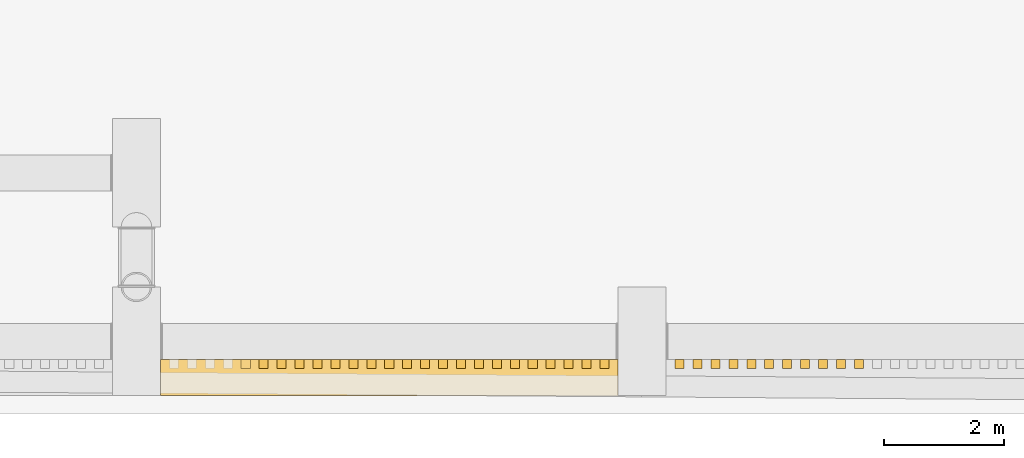
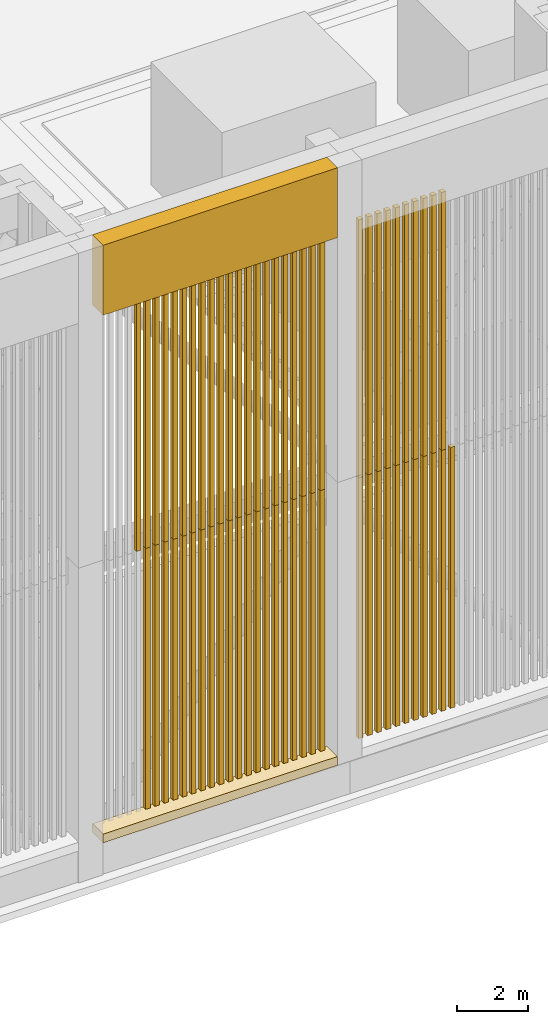
# One storey, part 11 of 27: 62 shading devices, 2 coverings.
"""IFC4 building model written with IfcOpenShell, lengths in metres."""

import ifcopenshell
import ifcopenshell.guid

model = None  # the IFC model being written
_history = None  # IfcOwnerHistory: only IFC2X3 demands one
_inside = {}  # id of a spatial element -> (the spatial element, [elements in it])
_under = {}  # id of a project, library or spatial element -> (it, [spatial elements below it])
_declared = {}  # id of a project -> (the project, [libraries it declares])
_typed = {}  # id of a type object -> (the type object, [elements of that type])
_made_of = {}  # id of a material, layer set ... -> (it, [elements and type objects made of it])


def new_model(schema):
    """Start an empty IFC model of exactly this schema.

    Asked for "IFC4X3", IfcOpenShell would pick the latest addendum, in which some entities
    have other attributes; the version numbers below select the first issue.
    IFC2X3 requires an IfcOwnerHistory on every rooted entity: one is made here for all.
    """
    global model, _history
    if schema == "IFC4X3":
        model = ifcopenshell.file(schema_version=(4, 3, 0, 0))
    else:
        model = ifcopenshell.file(schema=schema)
    _inside.clear()
    _under.clear()
    _declared.clear()
    _typed.clear()
    _made_of.clear()
    _history = None
    if model.schema == "IFC2X3":
        org = make("IfcOrganization", Name="unknown")
        user = make(
            "IfcPersonAndOrganization",
            ThePerson=make("IfcPerson", FamilyName="unknown"),
            TheOrganization=org,
        )
        app = make(
            "IfcApplication",
            ApplicationDeveloper=org,
            Version="unknown",
            ApplicationFullName="unknown",
            ApplicationIdentifier="unknown",
        )
        _history = make(
            "IfcOwnerHistory",
            OwningUser=user,
            OwningApplication=app,
            ChangeAction="ADDED",
            CreationDate=0,
        )
    return model


def make(cls, **values):
    """One entity of the class cls with the attributes given. An attribute that is None is left unset."""
    return model.create_entity(
        cls, **{name: value for name, value in values.items() if value is not None}
    )


def rooted(cls, **values):
    """An entity with a GlobalId (a new one), such as an element, a storey or a relation."""
    return make(cls, GlobalId=ifcopenshell.guid.new(), OwnerHistory=_history, **values)


def si_unit(unit_type, name, prefix=None):
    """IfcSIUnit, for example si_unit("LENGTHUNIT", "METRE", prefix="MILLI")."""
    return make("IfcSIUnit", UnitType=unit_type, Prefix=prefix, Name=name)


def assignment(units):
    """IfcUnitAssignment: the units of a project."""
    return None if units is None else make("IfcUnitAssignment", Units=units)


def point(xyz):
    """IfcCartesianPoint."""
    return None if xyz is None else make("IfcCartesianPoint", Coordinates=xyz)


def direction(xyz):
    """IfcDirection."""
    return None if xyz is None else make("IfcDirection", DirectionRatios=xyz)


def frame(location, z_axis=None, x_axis=None):
    """IfcAxis2Placement3D, a coordinate frame: its origin and axes. An axis left out is left unset."""
    return make(
        "IfcAxis2Placement3D",
        Location=point(location),
        Axis=direction(z_axis),
        RefDirection=direction(x_axis),
    )


def frame_2d(location, x_axis=None):
    """IfcAxis2Placement2D, a coordinate frame in the plane: its origin and x axis."""
    return make(
        "IfcAxis2Placement2D", Location=point(location), RefDirection=direction(x_axis)
    )


def origin():
    """The frame at (0, 0, 0) with its axes left unset."""
    return frame((0.0, 0.0, 0.0))


def origin_2d():
    """The frame at (0, 0) in the plane with its x axis left unset."""
    return frame_2d((0.0, 0.0))


def place(relative_to, where):
    """IfcLocalPlacement: puts the frame where relative to a parent placement (None: the world)."""
    return make(
        "IfcLocalPlacement", PlacementRelTo=relative_to, RelativePlacement=where
    )


def context(
    kind, dimensions, precision=None, world=None, true_north=None, identifier=None
):
    """IfcGeometricRepresentationContext, for example the 3D "Model" context."""
    return make(
        "IfcGeometricRepresentationContext",
        ContextIdentifier=identifier,
        ContextType=kind,
        CoordinateSpaceDimension=dimensions,
        Precision=precision,
        WorldCoordinateSystem=world,
        TrueNorth=true_north,
    )


def subcontext(parent, identifier, kind, view, scale=None):
    """IfcGeometricRepresentationSubContext, for example "Body" below "Model"."""
    return make(
        "IfcGeometricRepresentationSubContext",
        ContextIdentifier=identifier,
        ContextType=kind,
        ParentContext=parent,
        TargetScale=scale,
        TargetView=view,
    )


def project(units=None, contexts=None):
    """IfcProject with its units and contexts."""
    return rooted(
        "IfcProject",
        Name="project",
        RepresentationContexts=contexts,
        UnitsInContext=assignment(units),
    )


def spatial(cls, under=None, at=None, **own):
    """A site, building, storey or space (cls), placed at a placement, below another one or the project."""
    s = rooted(cls, ObjectPlacement=at, **own)
    if under is not None:
        _under.setdefault(under.id(), (under, []))[1].append(s)
    return s


def profile(cls, at=None, kind="AREA", **sizes):
    """A parametric profile (cls). Its sizes go by their IFC names, for example OverallWidth=200.0."""
    return make(cls, ProfileType=kind, Position=at, **sizes)


def rectangle(**sizes):
    """IfcRectangleProfileDef."""
    return profile("IfcRectangleProfileDef", **sizes)


def extrude(swept, where, along, depth):
    """IfcExtrudedAreaSolid: the profile swept, set in the frame where, extruded along a direction by depth."""
    return make(
        "IfcExtrudedAreaSolid",
        SweptArea=swept,
        Position=where,
        ExtrudedDirection=direction(along),
        Depth=depth,
    )


def shape(context_of_items, identifier, shape_type, items):
    """IfcShapeRepresentation: the items that make up one representation, for example the "Body"."""
    return make(
        "IfcShapeRepresentation",
        ContextOfItems=context_of_items,
        RepresentationIdentifier=identifier,
        RepresentationType=shape_type,
        Items=items,
    )


def material(Name=None, Category=None):
    """IfcMaterial."""
    return make("IfcMaterial", Name=Name, Category=Category)


def layer(
    of_material, thickness, ventilated=None, Name=None, Category=None, Priority=None
):
    """IfcMaterialLayer: one layer of a wall or slab, of a material (None: an air gap)."""
    return make(
        "IfcMaterialLayer",
        Material=of_material,
        LayerThickness=thickness,
        IsVentilated=ventilated,
        Name=Name,
        Category=Category,
        Priority=Priority,
    )


def layer_set(layers, Name=None):
    """IfcMaterialLayerSet."""
    return make("IfcMaterialLayerSet", MaterialLayers=layers, LayerSetName=Name)


def made_of(thing, what):
    """Note that an element or type object is made of a material, layer set ...; save() writes the relation."""
    if what is not None:
        _made_of.setdefault(what.id(), (what, []))[1].append(thing)
    return thing


def type_object(cls, material=None, **own):
    """A type object (cls), such as IfcWallType, which elements share."""
    return made_of(rooted(cls, **own), material)


def element(
    cls,
    number,
    at=None,
    inside=None,
    cuts=None,
    type_object=None,
    material=None,
    context=None,
    identifier="Body",
    shape_type=None,
    held_by="IfcProductDefinitionShape",
    body=None,
    shapes=None,
    **own,
):
    """One element of the class cls, such as IfcWall. Its Tag is "e" and its number.

    at: its placement. inside: the storey or other place that contains it. cuts: it is an
    opening in that element (IfcRelVoidsElement). A single representation is given by context,
    identifier, shape_type and body (its items); several are given by shapes. held_by: the class
    of the entity that holds the representations. save() writes the other relations.
    """
    e = rooted(cls, Tag="e%d" % number, ObjectPlacement=at, **own)
    if body is not None:
        shapes = [shape(context, identifier, shape_type, body)]
    if shapes is not None:
        e.Representation = make(held_by, Representations=shapes)
    if inside is not None:
        _inside.setdefault(inside.id(), (inside, []))[1].append(e)
    if cuts is not None:
        rooted(
            "IfcRelVoidsElement", RelatingBuildingElement=cuts, RelatedOpeningElement=e
        )
    if type_object is not None:
        _typed.setdefault(type_object.id(), (type_object, []))[1].append(e)
    return made_of(e, material)


def aggregate(whole, parts):
    """IfcRelAggregates: a whole, such as a stair, and the parts it consists of."""
    return rooted("IfcRelAggregates", RelatingObject=whole, RelatedObjects=parts)


def save(model, path):
    """Write the relations noted so far, then the file.

    IfcRelAggregates (storeys below a building ...), IfcRelContainedInSpatialStructure (elements
    in a storey), IfcRelDefinesByType, IfcRelAssociatesMaterial and IfcRelDeclares: one each for
    every whole, place, type object, material and project.
    """
    for whole, parts in _under.values():
        aggregate(whole, parts)
    for where, things in _inside.values():
        rooted(
            "IfcRelContainedInSpatialStructure",
            RelatedElements=things,
            RelatingStructure=where,
        )
    for kind, things in _typed.values():
        rooted("IfcRelDefinesByType", RelatedObjects=things, RelatingType=kind)
    for what, things in _made_of.values():
        rooted("IfcRelAssociatesMaterial", RelatedObjects=things, RelatingMaterial=what)
    for by, libraries in _declared.values():
        rooted("IfcRelDeclares", RelatingContext=by, RelatedDefinitions=libraries)
    model.write(path)


model = new_model("IFC4")

# Units and contexts
model_context = context("Model", 3, precision=1e-05, world=origin(), true_north=direction((0.0, 1.0)))
body_context = subcontext(model_context, "Body", "Model", "MODEL_VIEW")
ifc_project = project(units=[si_unit("LENGTHUNIT", "METRE"), si_unit("AREAUNIT", "SQUARE_METRE"), si_unit("VOLUMEUNIT", "CUBIC_METRE"), si_unit("PLANEANGLEUNIT", "RADIAN"), si_unit("MASSUNIT", "GRAM", prefix="KILO")], contexts=[model_context])

# Site, building, storey
site_placement = place(None, origin())
site = spatial("IfcSite", under=ifc_project, at=site_placement, CompositionType="ELEMENT")
building_placement = place(site_placement, origin())
building = spatial("IfcBuilding", under=site, at=building_placement, Name="Claustro Exchange Tower", CompositionType="ELEMENT")
storey_placement = place(building_placement, frame((0.0, 0.0, 287.10009765625)))
storey = spatial("IfcBuildingStorey", under=building, at=storey_placement, Name="ROOF", CompositionType="ELEMENT", Elevation=287.10009765625)

# Coverings
ifc_material_1 = material(Name="Concrete HA-40 (C40/50), precast, white cement, acid-etched", Category="concrete")
ifc_layer = layer(ifc_material_1, 0.60009765625)
ifc_layer_set = layer_set([ifc_layer], Name="Concrete HA-40 (C40/50), precast, white cement, acid-etched")
covering_type = type_object("IfcCoveringType", Name="CC2 600 precast concrete crown moulding", PredefinedType="MOLDING", material=ifc_layer_set)
covering_1_placement = place(storey_placement, frame((21.0, 4.99951171875, 1.10009765625), z_axis=(0.0, 0.0, 1.0), x_axis=(1.0, 0.0, 0.0)))
element("IfcCovering", 1, at=covering_1_placement, inside=storey, type_object=covering_type, Name="CROWN SILL CC2 3/A+5600 - 4/A+5600", PredefinedType="MOLDING", context=body_context, shape_type="SweptSolid", body=[
    extrude(rectangle(XDim=7.59912109375, YDim=0.60009765625, at=origin_2d()), origin(), (0.0, 0.0, 1.0), 0.300048828125),
])
covering_2_placement = place(storey_placement, frame((21.0, 4.99951171875, 19.199951171875), z_axis=(0.0, 0.0, 1.0), x_axis=(1.0, 0.0, 0.0)))
element("IfcCovering", 2, at=covering_2_placement, inside=storey, type_object=covering_type, Name="CROWN CORNICE CC2 3/A+5600 - 4/A+5600", PredefinedType="MOLDING", context=body_context, shape_type="SweptSolid", body=[
    extrude(rectangle(XDim=7.59912109375, YDim=0.60009765625, at=origin_2d()), origin(), (0.0, 0.0, 1.0), 2.39990234375),
])

# Shading devices
ifc_material_2 = material(Name="Concrete HA-40 (C40/50), precast, white cement, acid-etched", Category="concrete")
shading_device_type = type_object("IfcShadingDeviceType", Name="LV1 150 x 150 precast concrete crown louvre", PredefinedType="USERDEFINED", material=ifc_material_2)
shading_device_1_placement = place(storey_placement, frame((18.61572265625, 5.224609375, 10.349853515625), z_axis=(0.0, 0.0, 1.0), x_axis=(1.0, 0.0, 0.0)))
element("IfcShadingDevice", 3, at=shading_device_1_placement, inside=storey, type_object=shading_device_type, Name="CROWN LOUVRE LV1 3/A+5600 - 4/A+5600 05 upper", ObjectType="CROWN LOUVRE", PredefinedType="USERDEFINED", context=body_context, shape_type="SweptSolid", body=[
    extrude(rectangle(XDim=0.14990234375, YDim=0.14990234375, at=origin_2d()), origin(), (0.0, 0.0, 1.0), 8.85009765625),
])
shading_device_2_placement = place(storey_placement, frame((18.913818359375, 5.224609375, 1.39990234375), z_axis=(0.0, 0.0, 1.0), x_axis=(1.0, 0.0, 0.0)))
element("IfcShadingDevice", 4, at=shading_device_2_placement, inside=storey, type_object=shading_device_type, Name="CROWN LOUVRE LV1 3/A+5600 - 4/A+5600 06 lower", ObjectType="CROWN LOUVRE", PredefinedType="USERDEFINED", context=body_context, shape_type="SweptSolid", body=[
    extrude(rectangle(XDim=0.14990234375, YDim=0.14990234375, at=origin_2d()), origin(), (0.0, 0.0, 1.0), 8.949951171875),
])
shading_device_3_placement = place(storey_placement, frame((18.913818359375, 5.224609375, 10.349853515625), z_axis=(0.0, 0.0, 1.0), x_axis=(1.0, 0.0, 0.0)))
element("IfcShadingDevice", 5, at=shading_device_3_placement, inside=storey, type_object=shading_device_type, Name="CROWN LOUVRE LV1 3/A+5600 - 4/A+5600 06 upper", ObjectType="CROWN LOUVRE", PredefinedType="USERDEFINED", context=body_context, shape_type="SweptSolid", body=[
    extrude(rectangle(XDim=0.14990234375, YDim=0.14990234375, at=origin_2d()), origin(), (0.0, 0.0, 1.0), 8.85009765625),
])
shading_device_4_placement = place(storey_placement, frame((19.2119140625, 5.224609375, 1.39990234375), z_axis=(0.0, 0.0, 1.0), x_axis=(1.0, 0.0, 0.0)))
element("IfcShadingDevice", 6, at=shading_device_4_placement, inside=storey, type_object=shading_device_type, Name="CROWN LOUVRE LV1 3/A+5600 - 4/A+5600 07 lower", ObjectType="CROWN LOUVRE", PredefinedType="USERDEFINED", context=body_context, shape_type="SweptSolid", body=[
    extrude(rectangle(XDim=0.14990234375, YDim=0.14990234375, at=origin_2d()), origin(), (0.0, 0.0, 1.0), 8.949951171875),
])
shading_device_5_placement = place(storey_placement, frame((19.2119140625, 5.224609375, 10.349853515625), z_axis=(0.0, 0.0, 1.0), x_axis=(1.0, 0.0, 0.0)))
element("IfcShadingDevice", 7, at=shading_device_5_placement, inside=storey, type_object=shading_device_type, Name="CROWN LOUVRE LV1 3/A+5600 - 4/A+5600 07 upper", ObjectType="CROWN LOUVRE", PredefinedType="USERDEFINED", context=body_context, shape_type="SweptSolid", body=[
    extrude(rectangle(XDim=0.14990234375, YDim=0.14990234375, at=origin_2d()), origin(), (0.0, 0.0, 1.0), 8.85009765625),
])
shading_device_6_placement = place(storey_placement, frame((19.509765625, 5.224609375, 1.39990234375), z_axis=(0.0, 0.0, 1.0), x_axis=(1.0, 0.0, 0.0)))
element("IfcShadingDevice", 8, at=shading_device_6_placement, inside=storey, type_object=shading_device_type, Name="CROWN LOUVRE LV1 3/A+5600 - 4/A+5600 08 lower", ObjectType="CROWN LOUVRE", PredefinedType="USERDEFINED", context=body_context, shape_type="SweptSolid", body=[
    extrude(rectangle(XDim=0.14990234375, YDim=0.14990234375, at=origin_2d()), origin(), (0.0, 0.0, 1.0), 8.949951171875),
])
shading_device_7_placement = place(storey_placement, frame((19.509765625, 5.224609375, 10.349853515625), z_axis=(0.0, 0.0, 1.0), x_axis=(1.0, 0.0, 0.0)))
element("IfcShadingDevice", 9, at=shading_device_7_placement, inside=storey, type_object=shading_device_type, Name="CROWN LOUVRE LV1 3/A+5600 - 4/A+5600 08 upper", ObjectType="CROWN LOUVRE", PredefinedType="USERDEFINED", context=body_context, shape_type="SweptSolid", body=[
    extrude(rectangle(XDim=0.14990234375, YDim=0.14990234375, at=origin_2d()), origin(), (0.0, 0.0, 1.0), 8.85009765625),
])
shading_device_8_placement = place(storey_placement, frame((19.807861328125, 5.224609375, 1.39990234375), z_axis=(0.0, 0.0, 1.0), x_axis=(1.0, 0.0, 0.0)))
element("IfcShadingDevice", 10, at=shading_device_8_placement, inside=storey, type_object=shading_device_type, Name="CROWN LOUVRE LV1 3/A+5600 - 4/A+5600 09 lower", ObjectType="CROWN LOUVRE", PredefinedType="USERDEFINED", context=body_context, shape_type="SweptSolid", body=[
    extrude(rectangle(XDim=0.14990234375, YDim=0.14990234375, at=origin_2d()), origin(), (0.0, 0.0, 1.0), 8.949951171875),
])
shading_device_9_placement = place(storey_placement, frame((19.807861328125, 5.224609375, 10.349853515625), z_axis=(0.0, 0.0, 1.0), x_axis=(1.0, 0.0, 0.0)))
element("IfcShadingDevice", 11, at=shading_device_9_placement, inside=storey, type_object=shading_device_type, Name="CROWN LOUVRE LV1 3/A+5600 - 4/A+5600 09 upper", ObjectType="CROWN LOUVRE", PredefinedType="USERDEFINED", context=body_context, shape_type="SweptSolid", body=[
    extrude(rectangle(XDim=0.14990234375, YDim=0.14990234375, at=origin_2d()), origin(), (0.0, 0.0, 1.0), 8.85009765625),
])
shading_device_10_placement = place(storey_placement, frame((20.10595703125, 5.224609375, 1.39990234375), z_axis=(0.0, 0.0, 1.0), x_axis=(1.0, 0.0, 0.0)))
element("IfcShadingDevice", 12, at=shading_device_10_placement, inside=storey, type_object=shading_device_type, Name="CROWN LOUVRE LV1 3/A+5600 - 4/A+5600 10 lower", ObjectType="CROWN LOUVRE", PredefinedType="USERDEFINED", context=body_context, shape_type="SweptSolid", body=[
    extrude(rectangle(XDim=0.14990234375, YDim=0.14990234375, at=origin_2d()), origin(), (0.0, 0.0, 1.0), 8.949951171875),
])
shading_device_11_placement = place(storey_placement, frame((20.10595703125, 5.224609375, 10.349853515625), z_axis=(0.0, 0.0, 1.0), x_axis=(1.0, 0.0, 0.0)))
element("IfcShadingDevice", 13, at=shading_device_11_placement, inside=storey, type_object=shading_device_type, Name="CROWN LOUVRE LV1 3/A+5600 - 4/A+5600 10 upper", ObjectType="CROWN LOUVRE", PredefinedType="USERDEFINED", context=body_context, shape_type="SweptSolid", body=[
    extrude(rectangle(XDim=0.14990234375, YDim=0.14990234375, at=origin_2d()), origin(), (0.0, 0.0, 1.0), 8.85009765625),
])
shading_device_12_placement = place(storey_placement, frame((20.40380859375, 5.224609375, 1.39990234375), z_axis=(0.0, 0.0, 1.0), x_axis=(1.0, 0.0, 0.0)))
element("IfcShadingDevice", 14, at=shading_device_12_placement, inside=storey, type_object=shading_device_type, Name="CROWN LOUVRE LV1 3/A+5600 - 4/A+5600 11 lower", ObjectType="CROWN LOUVRE", PredefinedType="USERDEFINED", context=body_context, shape_type="SweptSolid", body=[
    extrude(rectangle(XDim=0.14990234375, YDim=0.14990234375, at=origin_2d()), origin(), (0.0, 0.0, 1.0), 8.949951171875),
])
shading_device_13_placement = place(storey_placement, frame((20.40380859375, 5.224609375, 10.349853515625), z_axis=(0.0, 0.0, 1.0), x_axis=(1.0, 0.0, 0.0)))
element("IfcShadingDevice", 15, at=shading_device_13_placement, inside=storey, type_object=shading_device_type, Name="CROWN LOUVRE LV1 3/A+5600 - 4/A+5600 11 upper", ObjectType="CROWN LOUVRE", PredefinedType="USERDEFINED", context=body_context, shape_type="SweptSolid", body=[
    extrude(rectangle(XDim=0.14990234375, YDim=0.14990234375, at=origin_2d()), origin(), (0.0, 0.0, 1.0), 8.85009765625),
])
shading_device_14_placement = place(storey_placement, frame((20.701904296875, 5.224609375, 1.39990234375), z_axis=(0.0, 0.0, 1.0), x_axis=(1.0, 0.0, 0.0)))
element("IfcShadingDevice", 16, at=shading_device_14_placement, inside=storey, type_object=shading_device_type, Name="CROWN LOUVRE LV1 3/A+5600 - 4/A+5600 12 lower", ObjectType="CROWN LOUVRE", PredefinedType="USERDEFINED", context=body_context, shape_type="SweptSolid", body=[
    extrude(rectangle(XDim=0.14990234375, YDim=0.14990234375, at=origin_2d()), origin(), (0.0, 0.0, 1.0), 8.949951171875),
])
shading_device_15_placement = place(storey_placement, frame((20.701904296875, 5.224609375, 10.349853515625), z_axis=(0.0, 0.0, 1.0), x_axis=(1.0, 0.0, 0.0)))
element("IfcShadingDevice", 17, at=shading_device_15_placement, inside=storey, type_object=shading_device_type, Name="CROWN LOUVRE LV1 3/A+5600 - 4/A+5600 12 upper", ObjectType="CROWN LOUVRE", PredefinedType="USERDEFINED", context=body_context, shape_type="SweptSolid", body=[
    extrude(rectangle(XDim=0.14990234375, YDim=0.14990234375, at=origin_2d()), origin(), (0.0, 0.0, 1.0), 8.85009765625),
])
shading_device_16_placement = place(storey_placement, frame((21.0, 5.224609375, 1.39990234375), z_axis=(0.0, 0.0, 1.0), x_axis=(1.0, 0.0, 0.0)))
element("IfcShadingDevice", 18, at=shading_device_16_placement, inside=storey, type_object=shading_device_type, Name="CROWN LOUVRE LV1 3/A+5600 - 4/A+5600 13 lower", ObjectType="CROWN LOUVRE", PredefinedType="USERDEFINED", context=body_context, shape_type="SweptSolid", body=[
    extrude(rectangle(XDim=0.14990234375, YDim=0.14990234375, at=origin_2d()), origin(), (0.0, 0.0, 1.0), 8.949951171875),
])
shading_device_17_placement = place(storey_placement, frame((21.0, 5.224609375, 10.349853515625), z_axis=(0.0, 0.0, 1.0), x_axis=(1.0, 0.0, 0.0)))
element("IfcShadingDevice", 19, at=shading_device_17_placement, inside=storey, type_object=shading_device_type, Name="CROWN LOUVRE LV1 3/A+5600 - 4/A+5600 13 upper", ObjectType="CROWN LOUVRE", PredefinedType="USERDEFINED", context=body_context, shape_type="SweptSolid", body=[
    extrude(rectangle(XDim=0.14990234375, YDim=0.14990234375, at=origin_2d()), origin(), (0.0, 0.0, 1.0), 8.85009765625),
])
shading_device_18_placement = place(storey_placement, frame((21.298095703125, 5.224609375, 1.39990234375), z_axis=(0.0, 0.0, 1.0), x_axis=(1.0, 0.0, 0.0)))
element("IfcShadingDevice", 20, at=shading_device_18_placement, inside=storey, type_object=shading_device_type, Name="CROWN LOUVRE LV1 3/A+5600 - 4/A+5600 14 lower", ObjectType="CROWN LOUVRE", PredefinedType="USERDEFINED", context=body_context, shape_type="SweptSolid", body=[
    extrude(rectangle(XDim=0.14990234375, YDim=0.14990234375, at=origin_2d()), origin(), (0.0, 0.0, 1.0), 8.949951171875),
])
shading_device_19_placement = place(storey_placement, frame((21.298095703125, 5.224609375, 10.349853515625), z_axis=(0.0, 0.0, 1.0), x_axis=(1.0, 0.0, 0.0)))
element("IfcShadingDevice", 21, at=shading_device_19_placement, inside=storey, type_object=shading_device_type, Name="CROWN LOUVRE LV1 3/A+5600 - 4/A+5600 14 upper", ObjectType="CROWN LOUVRE", PredefinedType="USERDEFINED", context=body_context, shape_type="SweptSolid", body=[
    extrude(rectangle(XDim=0.14990234375, YDim=0.14990234375, at=origin_2d()), origin(), (0.0, 0.0, 1.0), 8.85009765625),
])
shading_device_20_placement = place(storey_placement, frame((21.59619140625, 5.224609375, 1.39990234375), z_axis=(0.0, 0.0, 1.0), x_axis=(1.0, 0.0, 0.0)))
element("IfcShadingDevice", 22, at=shading_device_20_placement, inside=storey, type_object=shading_device_type, Name="CROWN LOUVRE LV1 3/A+5600 - 4/A+5600 15 lower", ObjectType="CROWN LOUVRE", PredefinedType="USERDEFINED", context=body_context, shape_type="SweptSolid", body=[
    extrude(rectangle(XDim=0.14990234375, YDim=0.14990234375, at=origin_2d()), origin(), (0.0, 0.0, 1.0), 8.949951171875),
])
shading_device_21_placement = place(storey_placement, frame((21.59619140625, 5.224609375, 10.349853515625), z_axis=(0.0, 0.0, 1.0), x_axis=(1.0, 0.0, 0.0)))
element("IfcShadingDevice", 23, at=shading_device_21_placement, inside=storey, type_object=shading_device_type, Name="CROWN LOUVRE LV1 3/A+5600 - 4/A+5600 15 upper", ObjectType="CROWN LOUVRE", PredefinedType="USERDEFINED", context=body_context, shape_type="SweptSolid", body=[
    extrude(rectangle(XDim=0.14990234375, YDim=0.14990234375, at=origin_2d()), origin(), (0.0, 0.0, 1.0), 8.85009765625),
])
shading_device_22_placement = place(storey_placement, frame((21.89404296875, 5.224609375, 1.39990234375), z_axis=(0.0, 0.0, 1.0), x_axis=(1.0, 0.0, 0.0)))
element("IfcShadingDevice", 24, at=shading_device_22_placement, inside=storey, type_object=shading_device_type, Name="CROWN LOUVRE LV1 3/A+5600 - 4/A+5600 16 lower", ObjectType="CROWN LOUVRE", PredefinedType="USERDEFINED", context=body_context, shape_type="SweptSolid", body=[
    extrude(rectangle(XDim=0.14990234375, YDim=0.14990234375, at=origin_2d()), origin(), (0.0, 0.0, 1.0), 8.949951171875),
])
shading_device_23_placement = place(storey_placement, frame((21.89404296875, 5.224609375, 10.349853515625), z_axis=(0.0, 0.0, 1.0), x_axis=(1.0, 0.0, 0.0)))
element("IfcShadingDevice", 25, at=shading_device_23_placement, inside=storey, type_object=shading_device_type, Name="CROWN LOUVRE LV1 3/A+5600 - 4/A+5600 16 upper", ObjectType="CROWN LOUVRE", PredefinedType="USERDEFINED", context=body_context, shape_type="SweptSolid", body=[
    extrude(rectangle(XDim=0.14990234375, YDim=0.14990234375, at=origin_2d()), origin(), (0.0, 0.0, 1.0), 8.85009765625),
])
shading_device_24_placement = place(storey_placement, frame((22.192138671875, 5.224609375, 1.39990234375), z_axis=(0.0, 0.0, 1.0), x_axis=(1.0, 0.0, 0.0)))
element("IfcShadingDevice", 26, at=shading_device_24_placement, inside=storey, type_object=shading_device_type, Name="CROWN LOUVRE LV1 3/A+5600 - 4/A+5600 17 lower", ObjectType="CROWN LOUVRE", PredefinedType="USERDEFINED", context=body_context, shape_type="SweptSolid", body=[
    extrude(rectangle(XDim=0.14990234375, YDim=0.14990234375, at=origin_2d()), origin(), (0.0, 0.0, 1.0), 8.949951171875),
])
shading_device_25_placement = place(storey_placement, frame((22.192138671875, 5.224609375, 10.349853515625), z_axis=(0.0, 0.0, 1.0), x_axis=(1.0, 0.0, 0.0)))
element("IfcShadingDevice", 27, at=shading_device_25_placement, inside=storey, type_object=shading_device_type, Name="CROWN LOUVRE LV1 3/A+5600 - 4/A+5600 17 upper", ObjectType="CROWN LOUVRE", PredefinedType="USERDEFINED", context=body_context, shape_type="SweptSolid", body=[
    extrude(rectangle(XDim=0.14990234375, YDim=0.14990234375, at=origin_2d()), origin(), (0.0, 0.0, 1.0), 8.85009765625),
])
shading_device_26_placement = place(storey_placement, frame((22.490234375, 5.224609375, 1.39990234375), z_axis=(0.0, 0.0, 1.0), x_axis=(1.0, 0.0, 0.0)))
element("IfcShadingDevice", 28, at=shading_device_26_placement, inside=storey, type_object=shading_device_type, Name="CROWN LOUVRE LV1 3/A+5600 - 4/A+5600 18 lower", ObjectType="CROWN LOUVRE", PredefinedType="USERDEFINED", context=body_context, shape_type="SweptSolid", body=[
    extrude(rectangle(XDim=0.14990234375, YDim=0.14990234375, at=origin_2d()), origin(), (0.0, 0.0, 1.0), 8.949951171875),
])
shading_device_27_placement = place(storey_placement, frame((22.490234375, 5.224609375, 10.349853515625), z_axis=(0.0, 0.0, 1.0), x_axis=(1.0, 0.0, 0.0)))
element("IfcShadingDevice", 29, at=shading_device_27_placement, inside=storey, type_object=shading_device_type, Name="CROWN LOUVRE LV1 3/A+5600 - 4/A+5600 18 upper", ObjectType="CROWN LOUVRE", PredefinedType="USERDEFINED", context=body_context, shape_type="SweptSolid", body=[
    extrude(rectangle(XDim=0.14990234375, YDim=0.14990234375, at=origin_2d()), origin(), (0.0, 0.0, 1.0), 8.85009765625),
])
shading_device_28_placement = place(storey_placement, frame((22.7880859375, 5.224609375, 1.39990234375), z_axis=(0.0, 0.0, 1.0), x_axis=(1.0, 0.0, 0.0)))
element("IfcShadingDevice", 30, at=shading_device_28_placement, inside=storey, type_object=shading_device_type, Name="CROWN LOUVRE LV1 3/A+5600 - 4/A+5600 19 lower", ObjectType="CROWN LOUVRE", PredefinedType="USERDEFINED", context=body_context, shape_type="SweptSolid", body=[
    extrude(rectangle(XDim=0.14990234375, YDim=0.14990234375, at=origin_2d()), origin(), (0.0, 0.0, 1.0), 8.949951171875),
])
shading_device_29_placement = place(storey_placement, frame((22.7880859375, 5.224609375, 10.349853515625), z_axis=(0.0, 0.0, 1.0), x_axis=(1.0, 0.0, 0.0)))
element("IfcShadingDevice", 31, at=shading_device_29_placement, inside=storey, type_object=shading_device_type, Name="CROWN LOUVRE LV1 3/A+5600 - 4/A+5600 19 upper", ObjectType="CROWN LOUVRE", PredefinedType="USERDEFINED", context=body_context, shape_type="SweptSolid", body=[
    extrude(rectangle(XDim=0.14990234375, YDim=0.14990234375, at=origin_2d()), origin(), (0.0, 0.0, 1.0), 8.85009765625),
])
shading_device_30_placement = place(storey_placement, frame((23.086181640625, 5.224609375, 1.39990234375), z_axis=(0.0, 0.0, 1.0), x_axis=(1.0, 0.0, 0.0)))
element("IfcShadingDevice", 32, at=shading_device_30_placement, inside=storey, type_object=shading_device_type, Name="CROWN LOUVRE LV1 3/A+5600 - 4/A+5600 20 lower", ObjectType="CROWN LOUVRE", PredefinedType="USERDEFINED", context=body_context, shape_type="SweptSolid", body=[
    extrude(rectangle(XDim=0.14990234375, YDim=0.14990234375, at=origin_2d()), origin(), (0.0, 0.0, 1.0), 8.949951171875),
])
shading_device_31_placement = place(storey_placement, frame((23.086181640625, 5.224609375, 10.349853515625), z_axis=(0.0, 0.0, 1.0), x_axis=(1.0, 0.0, 0.0)))
element("IfcShadingDevice", 33, at=shading_device_31_placement, inside=storey, type_object=shading_device_type, Name="CROWN LOUVRE LV1 3/A+5600 - 4/A+5600 20 upper", ObjectType="CROWN LOUVRE", PredefinedType="USERDEFINED", context=body_context, shape_type="SweptSolid", body=[
    extrude(rectangle(XDim=0.14990234375, YDim=0.14990234375, at=origin_2d()), origin(), (0.0, 0.0, 1.0), 8.85009765625),
])
shading_device_32_placement = place(storey_placement, frame((23.38427734375, 5.224609375, 1.39990234375), z_axis=(0.0, 0.0, 1.0), x_axis=(1.0, 0.0, 0.0)))
element("IfcShadingDevice", 34, at=shading_device_32_placement, inside=storey, type_object=shading_device_type, Name="CROWN LOUVRE LV1 3/A+5600 - 4/A+5600 21 lower", ObjectType="CROWN LOUVRE", PredefinedType="USERDEFINED", context=body_context, shape_type="SweptSolid", body=[
    extrude(rectangle(XDim=0.14990234375, YDim=0.14990234375, at=origin_2d()), origin(), (0.0, 0.0, 1.0), 8.949951171875),
])
shading_device_33_placement = place(storey_placement, frame((23.38427734375, 5.224609375, 10.349853515625), z_axis=(0.0, 0.0, 1.0), x_axis=(1.0, 0.0, 0.0)))
element("IfcShadingDevice", 35, at=shading_device_33_placement, inside=storey, type_object=shading_device_type, Name="CROWN LOUVRE LV1 3/A+5600 - 4/A+5600 21 upper", ObjectType="CROWN LOUVRE", PredefinedType="USERDEFINED", context=body_context, shape_type="SweptSolid", body=[
    extrude(rectangle(XDim=0.14990234375, YDim=0.14990234375, at=origin_2d()), origin(), (0.0, 0.0, 1.0), 8.85009765625),
])
shading_device_34_placement = place(storey_placement, frame((23.682373046875, 5.224609375, 1.39990234375), z_axis=(0.0, 0.0, 1.0), x_axis=(1.0, 0.0, 0.0)))
element("IfcShadingDevice", 36, at=shading_device_34_placement, inside=storey, type_object=shading_device_type, Name="CROWN LOUVRE LV1 3/A+5600 - 4/A+5600 22 lower", ObjectType="CROWN LOUVRE", PredefinedType="USERDEFINED", context=body_context, shape_type="SweptSolid", body=[
    extrude(rectangle(XDim=0.14990234375, YDim=0.14990234375, at=origin_2d()), origin(), (0.0, 0.0, 1.0), 8.949951171875),
])
shading_device_35_placement = place(storey_placement, frame((23.682373046875, 5.224609375, 10.349853515625), z_axis=(0.0, 0.0, 1.0), x_axis=(1.0, 0.0, 0.0)))
element("IfcShadingDevice", 37, at=shading_device_35_placement, inside=storey, type_object=shading_device_type, Name="CROWN LOUVRE LV1 3/A+5600 - 4/A+5600 22 upper", ObjectType="CROWN LOUVRE", PredefinedType="USERDEFINED", context=body_context, shape_type="SweptSolid", body=[
    extrude(rectangle(XDim=0.14990234375, YDim=0.14990234375, at=origin_2d()), origin(), (0.0, 0.0, 1.0), 8.85009765625),
])
shading_device_36_placement = place(storey_placement, frame((23.98046875, 5.224609375, 1.39990234375), z_axis=(0.0, 0.0, 1.0), x_axis=(1.0, 0.0, 0.0)))
element("IfcShadingDevice", 38, at=shading_device_36_placement, inside=storey, type_object=shading_device_type, Name="CROWN LOUVRE LV1 3/A+5600 - 4/A+5600 23 lower", ObjectType="CROWN LOUVRE", PredefinedType="USERDEFINED", context=body_context, shape_type="SweptSolid", body=[
    extrude(rectangle(XDim=0.14990234375, YDim=0.14990234375, at=origin_2d()), origin(), (0.0, 0.0, 1.0), 8.949951171875),
])
shading_device_37_placement = place(storey_placement, frame((23.98046875, 5.224609375, 10.349853515625), z_axis=(0.0, 0.0, 1.0), x_axis=(1.0, 0.0, 0.0)))
element("IfcShadingDevice", 39, at=shading_device_37_placement, inside=storey, type_object=shading_device_type, Name="CROWN LOUVRE LV1 3/A+5600 - 4/A+5600 23 upper", ObjectType="CROWN LOUVRE", PredefinedType="USERDEFINED", context=body_context, shape_type="SweptSolid", body=[
    extrude(rectangle(XDim=0.14990234375, YDim=0.14990234375, at=origin_2d()), origin(), (0.0, 0.0, 1.0), 8.85009765625),
])
shading_device_38_placement = place(storey_placement, frame((24.2783203125, 5.224609375, 1.39990234375), z_axis=(0.0, 0.0, 1.0), x_axis=(1.0, 0.0, 0.0)))
element("IfcShadingDevice", 40, at=shading_device_38_placement, inside=storey, type_object=shading_device_type, Name="CROWN LOUVRE LV1 3/A+5600 - 4/A+5600 24 lower", ObjectType="CROWN LOUVRE", PredefinedType="USERDEFINED", context=body_context, shape_type="SweptSolid", body=[
    extrude(rectangle(XDim=0.14990234375, YDim=0.14990234375, at=origin_2d()), origin(), (0.0, 0.0, 1.0), 8.949951171875),
])
shading_device_39_placement = place(storey_placement, frame((24.2783203125, 5.224609375, 10.349853515625), z_axis=(0.0, 0.0, 1.0), x_axis=(1.0, 0.0, 0.0)))
element("IfcShadingDevice", 41, at=shading_device_39_placement, inside=storey, type_object=shading_device_type, Name="CROWN LOUVRE LV1 3/A+5600 - 4/A+5600 24 upper", ObjectType="CROWN LOUVRE", PredefinedType="USERDEFINED", context=body_context, shape_type="SweptSolid", body=[
    extrude(rectangle(XDim=0.14990234375, YDim=0.14990234375, at=origin_2d()), origin(), (0.0, 0.0, 1.0), 8.85009765625),
])
shading_device_40_placement = place(storey_placement, frame((24.576416015625, 5.224609375, 1.39990234375), z_axis=(0.0, 0.0, 1.0), x_axis=(1.0, 0.0, 0.0)))
element("IfcShadingDevice", 42, at=shading_device_40_placement, inside=storey, type_object=shading_device_type, Name="CROWN LOUVRE LV1 3/A+5600 - 4/A+5600 25 lower", ObjectType="CROWN LOUVRE", PredefinedType="USERDEFINED", context=body_context, shape_type="SweptSolid", body=[
    extrude(rectangle(XDim=0.14990234375, YDim=0.14990234375, at=origin_2d()), origin(), (0.0, 0.0, 1.0), 8.949951171875),
])
shading_device_41_placement = place(storey_placement, frame((24.576416015625, 5.224609375, 10.349853515625), z_axis=(0.0, 0.0, 1.0), x_axis=(1.0, 0.0, 0.0)))
element("IfcShadingDevice", 43, at=shading_device_41_placement, inside=storey, type_object=shading_device_type, Name="CROWN LOUVRE LV1 3/A+5600 - 4/A+5600 25 upper", ObjectType="CROWN LOUVRE", PredefinedType="USERDEFINED", context=body_context, shape_type="SweptSolid", body=[
    extrude(rectangle(XDim=0.14990234375, YDim=0.14990234375, at=origin_2d()), origin(), (0.0, 0.0, 1.0), 8.85009765625),
])
shading_device_42_placement = place(storey_placement, frame((25.823486328125, 5.224609375, 1.39990234375), z_axis=(0.0, 0.0, 1.0), x_axis=(1.0, 0.0, 0.0)))
element("IfcShadingDevice", 44, at=shading_device_42_placement, inside=storey, type_object=shading_device_type, Name="CROWN LOUVRE LV1 4/A+5600 - 5/A+5600 01 lower", ObjectType="CROWN LOUVRE", PredefinedType="USERDEFINED", context=body_context, shape_type="SweptSolid", body=[
    extrude(rectangle(XDim=0.14990234375, YDim=0.14990234375, at=origin_2d()), origin(), (0.0, 0.0, 1.0), 8.949951171875),
])
shading_device_43_placement = place(storey_placement, frame((25.823486328125, 5.224609375, 10.349853515625), z_axis=(0.0, 0.0, 1.0), x_axis=(1.0, 0.0, 0.0)))
element("IfcShadingDevice", 45, at=shading_device_43_placement, inside=storey, type_object=shading_device_type, Name="CROWN LOUVRE LV1 4/A+5600 - 5/A+5600 01 upper", ObjectType="CROWN LOUVRE", PredefinedType="USERDEFINED", context=body_context, shape_type="SweptSolid", body=[
    extrude(rectangle(XDim=0.14990234375, YDim=0.14990234375, at=origin_2d()), origin(), (0.0, 0.0, 1.0), 8.85009765625),
])
shading_device_44_placement = place(storey_placement, frame((26.12158203125, 5.224609375, 1.39990234375), z_axis=(0.0, 0.0, 1.0), x_axis=(1.0, 0.0, 0.0)))
element("IfcShadingDevice", 46, at=shading_device_44_placement, inside=storey, type_object=shading_device_type, Name="CROWN LOUVRE LV1 4/A+5600 - 5/A+5600 02 lower", ObjectType="CROWN LOUVRE", PredefinedType="USERDEFINED", context=body_context, shape_type="SweptSolid", body=[
    extrude(rectangle(XDim=0.14990234375, YDim=0.14990234375, at=origin_2d()), origin(), (0.0, 0.0, 1.0), 8.949951171875),
])
shading_device_45_placement = place(storey_placement, frame((26.12158203125, 5.224609375, 10.349853515625), z_axis=(0.0, 0.0, 1.0), x_axis=(1.0, 0.0, 0.0)))
element("IfcShadingDevice", 47, at=shading_device_45_placement, inside=storey, type_object=shading_device_type, Name="CROWN LOUVRE LV1 4/A+5600 - 5/A+5600 02 upper", ObjectType="CROWN LOUVRE", PredefinedType="USERDEFINED", context=body_context, shape_type="SweptSolid", body=[
    extrude(rectangle(XDim=0.14990234375, YDim=0.14990234375, at=origin_2d()), origin(), (0.0, 0.0, 1.0), 8.85009765625),
])
shading_device_46_placement = place(storey_placement, frame((26.419677734375, 5.224609375, 1.39990234375), z_axis=(0.0, 0.0, 1.0), x_axis=(1.0, 0.0, 0.0)))
element("IfcShadingDevice", 48, at=shading_device_46_placement, inside=storey, type_object=shading_device_type, Name="CROWN LOUVRE LV1 4/A+5600 - 5/A+5600 03 lower", ObjectType="CROWN LOUVRE", PredefinedType="USERDEFINED", context=body_context, shape_type="SweptSolid", body=[
    extrude(rectangle(XDim=0.14990234375, YDim=0.14990234375, at=origin_2d()), origin(), (0.0, 0.0, 1.0), 8.949951171875),
])
shading_device_47_placement = place(storey_placement, frame((26.419677734375, 5.224609375, 10.349853515625), z_axis=(0.0, 0.0, 1.0), x_axis=(1.0, 0.0, 0.0)))
element("IfcShadingDevice", 49, at=shading_device_47_placement, inside=storey, type_object=shading_device_type, Name="CROWN LOUVRE LV1 4/A+5600 - 5/A+5600 03 upper", ObjectType="CROWN LOUVRE", PredefinedType="USERDEFINED", context=body_context, shape_type="SweptSolid", body=[
    extrude(rectangle(XDim=0.14990234375, YDim=0.14990234375, at=origin_2d()), origin(), (0.0, 0.0, 1.0), 8.85009765625),
])
shading_device_48_placement = place(storey_placement, frame((26.7177734375, 5.224609375, 1.39990234375), z_axis=(0.0, 0.0, 1.0), x_axis=(1.0, 0.0, 0.0)))
element("IfcShadingDevice", 50, at=shading_device_48_placement, inside=storey, type_object=shading_device_type, Name="CROWN LOUVRE LV1 4/A+5600 - 5/A+5600 04 lower", ObjectType="CROWN LOUVRE", PredefinedType="USERDEFINED", context=body_context, shape_type="SweptSolid", body=[
    extrude(rectangle(XDim=0.14990234375, YDim=0.14990234375, at=origin_2d()), origin(), (0.0, 0.0, 1.0), 8.949951171875),
])
shading_device_49_placement = place(storey_placement, frame((26.7177734375, 5.224609375, 10.349853515625), z_axis=(0.0, 0.0, 1.0), x_axis=(1.0, 0.0, 0.0)))
element("IfcShadingDevice", 51, at=shading_device_49_placement, inside=storey, type_object=shading_device_type, Name="CROWN LOUVRE LV1 4/A+5600 - 5/A+5600 04 upper", ObjectType="CROWN LOUVRE", PredefinedType="USERDEFINED", context=body_context, shape_type="SweptSolid", body=[
    extrude(rectangle(XDim=0.14990234375, YDim=0.14990234375, at=origin_2d()), origin(), (0.0, 0.0, 1.0), 8.85009765625),
])
shading_device_50_placement = place(storey_placement, frame((27.015625, 5.224609375, 1.39990234375), z_axis=(0.0, 0.0, 1.0), x_axis=(1.0, 0.0, 0.0)))
element("IfcShadingDevice", 52, at=shading_device_50_placement, inside=storey, type_object=shading_device_type, Name="CROWN LOUVRE LV1 4/A+5600 - 5/A+5600 05 lower", ObjectType="CROWN LOUVRE", PredefinedType="USERDEFINED", context=body_context, shape_type="SweptSolid", body=[
    extrude(rectangle(XDim=0.14990234375, YDim=0.14990234375, at=origin_2d()), origin(), (0.0, 0.0, 1.0), 8.949951171875),
])
shading_device_51_placement = place(storey_placement, frame((27.015625, 5.224609375, 10.349853515625), z_axis=(0.0, 0.0, 1.0), x_axis=(1.0, 0.0, 0.0)))
element("IfcShadingDevice", 53, at=shading_device_51_placement, inside=storey, type_object=shading_device_type, Name="CROWN LOUVRE LV1 4/A+5600 - 5/A+5600 05 upper", ObjectType="CROWN LOUVRE", PredefinedType="USERDEFINED", context=body_context, shape_type="SweptSolid", body=[
    extrude(rectangle(XDim=0.14990234375, YDim=0.14990234375, at=origin_2d()), origin(), (0.0, 0.0, 1.0), 8.85009765625),
])
shading_device_52_placement = place(storey_placement, frame((27.313720703125, 5.224609375, 1.39990234375), z_axis=(0.0, 0.0, 1.0), x_axis=(1.0, 0.0, 0.0)))
element("IfcShadingDevice", 54, at=shading_device_52_placement, inside=storey, type_object=shading_device_type, Name="CROWN LOUVRE LV1 4/A+5600 - 5/A+5600 06 lower", ObjectType="CROWN LOUVRE", PredefinedType="USERDEFINED", context=body_context, shape_type="SweptSolid", body=[
    extrude(rectangle(XDim=0.14990234375, YDim=0.14990234375, at=origin_2d()), origin(), (0.0, 0.0, 1.0), 8.949951171875),
])
shading_device_53_placement = place(storey_placement, frame((27.313720703125, 5.224609375, 10.349853515625), z_axis=(0.0, 0.0, 1.0), x_axis=(1.0, 0.0, 0.0)))
element("IfcShadingDevice", 55, at=shading_device_53_placement, inside=storey, type_object=shading_device_type, Name="CROWN LOUVRE LV1 4/A+5600 - 5/A+5600 06 upper", ObjectType="CROWN LOUVRE", PredefinedType="USERDEFINED", context=body_context, shape_type="SweptSolid", body=[
    extrude(rectangle(XDim=0.14990234375, YDim=0.14990234375, at=origin_2d()), origin(), (0.0, 0.0, 1.0), 8.85009765625),
])
shading_device_54_placement = place(storey_placement, frame((27.61181640625, 5.224609375, 1.39990234375), z_axis=(0.0, 0.0, 1.0), x_axis=(1.0, 0.0, 0.0)))
element("IfcShadingDevice", 56, at=shading_device_54_placement, inside=storey, type_object=shading_device_type, Name="CROWN LOUVRE LV1 4/A+5600 - 5/A+5600 07 lower", ObjectType="CROWN LOUVRE", PredefinedType="USERDEFINED", context=body_context, shape_type="SweptSolid", body=[
    extrude(rectangle(XDim=0.14990234375, YDim=0.14990234375, at=origin_2d()), origin(), (0.0, 0.0, 1.0), 8.949951171875),
])
shading_device_55_placement = place(storey_placement, frame((27.61181640625, 5.224609375, 10.349853515625), z_axis=(0.0, 0.0, 1.0), x_axis=(1.0, 0.0, 0.0)))
element("IfcShadingDevice", 57, at=shading_device_55_placement, inside=storey, type_object=shading_device_type, Name="CROWN LOUVRE LV1 4/A+5600 - 5/A+5600 07 upper", ObjectType="CROWN LOUVRE", PredefinedType="USERDEFINED", context=body_context, shape_type="SweptSolid", body=[
    extrude(rectangle(XDim=0.14990234375, YDim=0.14990234375, at=origin_2d()), origin(), (0.0, 0.0, 1.0), 8.85009765625),
])
shading_device_56_placement = place(storey_placement, frame((27.909912109375, 5.224609375, 1.39990234375), z_axis=(0.0, 0.0, 1.0), x_axis=(1.0, 0.0, 0.0)))
element("IfcShadingDevice", 58, at=shading_device_56_placement, inside=storey, type_object=shading_device_type, Name="CROWN LOUVRE LV1 4/A+5600 - 5/A+5600 08 lower", ObjectType="CROWN LOUVRE", PredefinedType="USERDEFINED", context=body_context, shape_type="SweptSolid", body=[
    extrude(rectangle(XDim=0.14990234375, YDim=0.14990234375, at=origin_2d()), origin(), (0.0, 0.0, 1.0), 8.949951171875),
])
shading_device_57_placement = place(storey_placement, frame((27.909912109375, 5.224609375, 10.349853515625), z_axis=(0.0, 0.0, 1.0), x_axis=(1.0, 0.0, 0.0)))
element("IfcShadingDevice", 59, at=shading_device_57_placement, inside=storey, type_object=shading_device_type, Name="CROWN LOUVRE LV1 4/A+5600 - 5/A+5600 08 upper", ObjectType="CROWN LOUVRE", PredefinedType="USERDEFINED", context=body_context, shape_type="SweptSolid", body=[
    extrude(rectangle(XDim=0.14990234375, YDim=0.14990234375, at=origin_2d()), origin(), (0.0, 0.0, 1.0), 8.85009765625),
])
shading_device_58_placement = place(storey_placement, frame((28.207763671875, 5.224609375, 1.39990234375), z_axis=(0.0, 0.0, 1.0), x_axis=(1.0, 0.0, 0.0)))
element("IfcShadingDevice", 60, at=shading_device_58_placement, inside=storey, type_object=shading_device_type, Name="CROWN LOUVRE LV1 4/A+5600 - 5/A+5600 09 lower", ObjectType="CROWN LOUVRE", PredefinedType="USERDEFINED", context=body_context, shape_type="SweptSolid", body=[
    extrude(rectangle(XDim=0.14990234375, YDim=0.14990234375, at=origin_2d()), origin(), (0.0, 0.0, 1.0), 8.949951171875),
])
shading_device_59_placement = place(storey_placement, frame((28.207763671875, 5.224609375, 10.349853515625), z_axis=(0.0, 0.0, 1.0), x_axis=(1.0, 0.0, 0.0)))
element("IfcShadingDevice", 61, at=shading_device_59_placement, inside=storey, type_object=shading_device_type, Name="CROWN LOUVRE LV1 4/A+5600 - 5/A+5600 09 upper", ObjectType="CROWN LOUVRE", PredefinedType="USERDEFINED", context=body_context, shape_type="SweptSolid", body=[
    extrude(rectangle(XDim=0.14990234375, YDim=0.14990234375, at=origin_2d()), origin(), (0.0, 0.0, 1.0), 8.85009765625),
])
shading_device_60_placement = place(storey_placement, frame((28.505859375, 5.224609375, 1.39990234375), z_axis=(0.0, 0.0, 1.0), x_axis=(1.0, 0.0, 0.0)))
element("IfcShadingDevice", 62, at=shading_device_60_placement, inside=storey, type_object=shading_device_type, Name="CROWN LOUVRE LV1 4/A+5600 - 5/A+5600 10 lower", ObjectType="CROWN LOUVRE", PredefinedType="USERDEFINED", context=body_context, shape_type="SweptSolid", body=[
    extrude(rectangle(XDim=0.14990234375, YDim=0.14990234375, at=origin_2d()), origin(), (0.0, 0.0, 1.0), 8.949951171875),
])
shading_device_61_placement = place(storey_placement, frame((28.505859375, 5.224609375, 10.349853515625), z_axis=(0.0, 0.0, 1.0), x_axis=(1.0, 0.0, 0.0)))
element("IfcShadingDevice", 63, at=shading_device_61_placement, inside=storey, type_object=shading_device_type, Name="CROWN LOUVRE LV1 4/A+5600 - 5/A+5600 10 upper", ObjectType="CROWN LOUVRE", PredefinedType="USERDEFINED", context=body_context, shape_type="SweptSolid", body=[
    extrude(rectangle(XDim=0.14990234375, YDim=0.14990234375, at=origin_2d()), origin(), (0.0, 0.0, 1.0), 8.85009765625),
])
shading_device_62_placement = place(storey_placement, frame((28.803955078125, 5.224609375, 1.39990234375), z_axis=(0.0, 0.0, 1.0), x_axis=(1.0, 0.0, 0.0)))
element("IfcShadingDevice", 64, at=shading_device_62_placement, inside=storey, type_object=shading_device_type, Name="CROWN LOUVRE LV1 4/A+5600 - 5/A+5600 11 lower", ObjectType="CROWN LOUVRE", PredefinedType="USERDEFINED", context=body_context, shape_type="SweptSolid", body=[
    extrude(rectangle(XDim=0.14990234375, YDim=0.14990234375, at=origin_2d()), origin(), (0.0, 0.0, 1.0), 8.949951171875),
])

save(model, "model.ifc")
